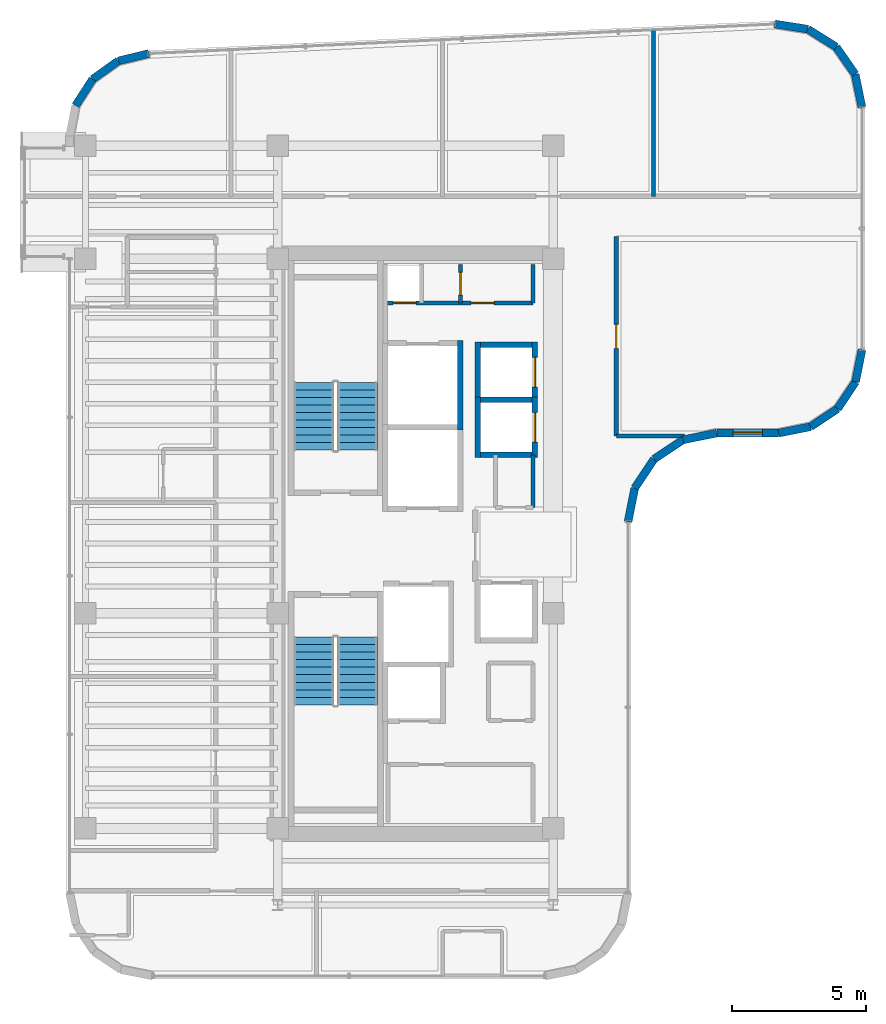
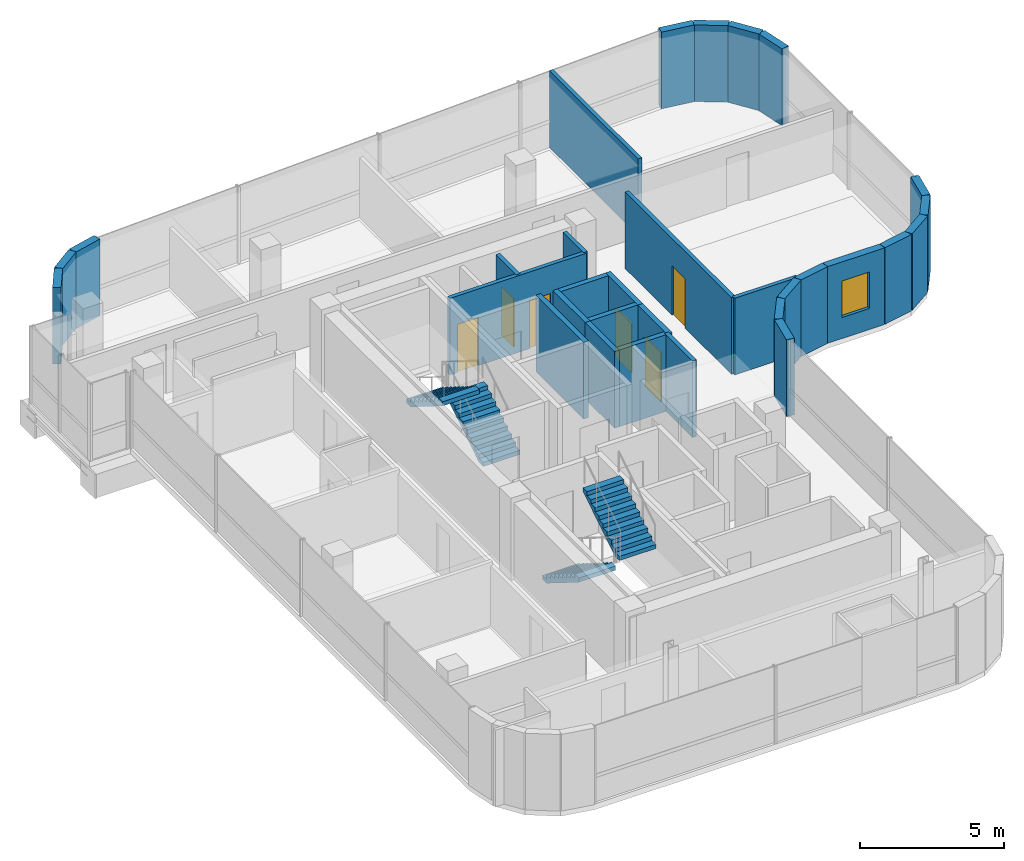
# One storey, part 18 of 21: 31 walls, 6 doors, 4 stair flights, 1 window, 7 openings, 2 elements without a shape of their own.
"""IFC4 building model written with IfcOpenShell, lengths in metres."""

from ifc_helpers import new_model, si_unit, direction, frame, frame_2d, origin, place, context, subcontext, project, spatial, polyline, rectangle, outline, extrude, material, layer, layer_set, type_object, element, fill, aggregate, save


model = new_model("IFC4")

# Units and contexts
model_context = context("Model", 3, precision=1e-05, world=origin(), true_north=direction((0.0, 1.0)))
body_context = subcontext(model_context, "Body", "Model", "MODEL_VIEW")
ifc_project = project(units=[si_unit("LENGTHUNIT", "METRE"), si_unit("AREAUNIT", "SQUARE_METRE"), si_unit("VOLUMEUNIT", "CUBIC_METRE"), si_unit("PLANEANGLEUNIT", "RADIAN"), si_unit("MASSUNIT", "GRAM", prefix="KILO")], contexts=[model_context])

# Site, building, storey
site_placement = place(None, origin())
site = spatial("IfcSite", under=ifc_project, at=site_placement, CompositionType="ELEMENT")
building_placement = place(site_placement, origin())
building = spatial("IfcBuilding", under=site, at=building_placement, Name="Valdorenza Pilgrim Sanctuary Tower", CompositionType="ELEMENT")
storey_placement = place(building_placement, frame((0.0, 0.0, 254.5)))
storey = spatial("IfcBuildingStorey", under=building, at=storey_placement, Name="L66", CompositionType="ELEMENT", Elevation=254.5)

# Wall, openings, doors
ifc_material_1 = material(Name="Acoustic twin-stud gypsum partition", Category="gypsum")
ifc_layer_1 = layer(ifc_material_1, 0.159912109375, Name="Acoustic twin-stud gypsum partition")
ifc_layer_set_1 = layer_set([ifc_layer_1], Name="Acoustic twin-stud gypsum partition")
wall_type_1 = type_object("IfcWallType", Name="WAL-COR-160", PredefinedType="PARTITIONING", material=ifc_layer_set_1)
wall_1_placement = place(storey_placement, frame((-18.64990234375, 8.949951171875, 0.0), z_axis=(0.0, 0.0, 1.0), x_axis=(1.0, 0.0, 0.0)))
wall_1 = element("IfcWall", 1, at=wall_1_placement, inside=storey, type_object=wall_type_1, Name="L66 Core A North Service South Wall", PredefinedType="PARTITIONING", context=body_context, shape_type="SweptSolid", body=[
    extrude(rectangle(XDim=5.5, YDim=0.159912109375, at=frame_2d((2.75, 0.0))), origin(), (0.0, 0.0, 1.0), 3.260009765625),
])
opening_1_placement = place(wall_1_placement, frame((0.300048828125, 0.0, 0.0)))
opening_1 = element("IfcOpeningElement", 2, at=opening_1_placement, cuts=wall_1, Name="Opening DR-RS1", PredefinedType="OPENING", context=body_context, shape_type="SweptSolid", body=[
    extrude(rectangle(XDim=0.85009765625, YDim=2.050048828125, at=frame_2d((0.425048828125, 1.02490234375))), frame((0.0, 0.0947265625, 0.0), z_axis=(0.0, -1.0, 0.0), x_axis=(1.0, 0.0, 0.0)), (0.0, 0.0, 1.0), 0.189697265625),
])
opening_2_placement = place(wall_1_placement, frame((3.199951171875, 0.0, 0.0)))
opening_2 = element("IfcOpeningElement", 3, at=opening_2_placement, cuts=wall_1, Name="Opening DR-RS1", PredefinedType="OPENING", context=body_context, shape_type="SweptSolid", body=[
    extrude(rectangle(XDim=0.85009765625, YDim=2.050048828125, at=frame_2d((0.425048828125, 1.02490234375))), frame((0.0, 0.0947265625, 0.0), z_axis=(0.0, -1.0, 0.0), x_axis=(1.0, 0.0, 0.0)), (0.0, 0.0, 1.0), 0.189697265625),
])
ifc_material_2 = material(Name="Painted galvanized steel", Category="steel")
door_type_1 = type_object("IfcDoorType", Name="DR-RSR-850", OperationType="NOTDEFINED", PredefinedType="DOOR", material=ifc_material_2)
door_1_placement = place(opening_1_placement, origin())
door_1 = element("IfcDoor", 4, at=door_1_placement, inside=storey, type_object=door_type_1, Name="L66 Core Electrical and Telecom Riser Door", OperationType="SINGLE_SWING_LEFT", OverallHeight=2.050048828125, OverallWidth=0.85009765625, PredefinedType="DOOR", context=body_context, shape_type="SweptSolid", body=[
    extrude(rectangle(XDim=0.85009765625, YDim=2.050048828125, at=frame_2d((0.425048828125, 1.02490234375))), frame((0.0, 0.02490234375, 0.0), z_axis=(0.0, -1.0, 0.0), x_axis=(1.0, 0.0, 0.0)), (0.0, 0.0, 1.0), 0.050048828125),
])
fill(opening_1, door_1)
door_2_placement = place(opening_2_placement, origin())
door_2 = element("IfcDoor", 5, at=door_2_placement, inside=storey, type_object=door_type_1, Name="L66 Housekeeping and Clean Linen Room Door", OperationType="SINGLE_SWING_RIGHT", OverallHeight=2.050048828125, OverallWidth=0.85009765625, PredefinedType="DOOR", context=body_context, shape_type="SweptSolid", body=[
    extrude(rectangle(XDim=0.85009765625, YDim=2.050048828125, at=frame_2d((0.425048828125, 1.02490234375))), frame((0.0, 0.02490234375, 0.0), z_axis=(0.0, -1.0, 0.0), x_axis=(1.0, 0.0, 0.0)), (0.0, 0.0, 1.0), 0.050048828125),
])
fill(opening_2, door_2)

# Wall
wall_2_placement = place(storey_placement, frame((-13.14990234375, 8.949951171875, 0.0), z_axis=(0.0, 0.0, 1.0), x_axis=(0.0, 1.0, 0.0)))
element("IfcWall", 6, at=wall_2_placement, inside=storey, type_object=wall_type_1, Name="L66 Core A North Service East Wall", PredefinedType="PARTITIONING", context=body_context, shape_type="SweptSolid", body=[
    extrude(rectangle(XDim=1.429931640625, YDim=0.159912109375, at=frame_2d((0.71484375, 0.0))), origin(), (0.0, 0.0, 1.0), 3.260009765625),
])

# Wall, opening, door
wall_3_placement = place(storey_placement, frame((-15.85009765625, 8.949951171875, 0.0), z_axis=(0.0, 0.0, 1.0), x_axis=(0.0, 1.0, 0.0)))
wall_3 = element("IfcWall", 7, at=wall_3_placement, inside=storey, type_object=wall_type_1, Name="L66 Core A Split C", PredefinedType="PARTITIONING", context=body_context, shape_type="SweptSolid", body=[
    extrude(rectangle(XDim=1.429931640625, YDim=0.159912109375, at=frame_2d((0.71484375, 0.0))), origin(), (0.0, 0.0, 1.0), 3.260009765625),
])
opening_3_placement = place(wall_3_placement, frame((0.2900390625, 0.0, 0.0)))
opening_3 = element("IfcOpeningElement", 8, at=opening_3_placement, cuts=wall_3, Name="Opening DR-RS1", PredefinedType="OPENING", context=body_context, shape_type="SweptSolid", body=[
    extrude(rectangle(XDim=0.85009765625, YDim=2.050048828125, at=frame_2d((0.425048828125, 1.02490234375))), frame((0.0, 0.0947265625, 0.0), z_axis=(0.0, -1.0, 0.0), x_axis=(1.0, 0.0, 0.0)), (0.0, 0.0, 1.0), 0.189697265625),
])
door_3_placement = place(opening_3_placement, origin())
door_3 = element("IfcDoor", 9, at=door_3_placement, inside=storey, type_object=door_type_1, Name="L66 Clean Linen Supply Store Door", OperationType="SINGLE_SWING_LEFT", OverallHeight=2.050048828125, OverallWidth=0.85009765625, PredefinedType="DOOR", context=body_context, shape_type="SweptSolid", body=[
    extrude(rectangle(XDim=0.85009765625, YDim=2.050048828125, at=frame_2d((0.425048828125, 1.02490234375))), frame((0.0, 0.02490234375, 0.0), z_axis=(0.0, -1.0, 0.0), x_axis=(1.0, 0.0, 0.0)), (0.0, 0.0, 1.0), 0.050048828125),
])
fill(opening_3, door_3)

# Wall
wall_4_placement = place(storey_placement, frame((-13.14990234375, 1.35009765625, 0.0), z_axis=(0.0, 0.0, 1.0), x_axis=(0.0, 1.0, 0.0)))
element("IfcWall", 10, at=wall_4_placement, inside=storey, type_object=wall_type_1, Name="L66 Freed Shaft 6 East Wall", PredefinedType="PARTITIONING", context=body_context, shape_type="SweptSolid", body=[
    extrude(rectangle(XDim=1.949951171875, YDim=0.159912109375, at=frame_2d((0.97509765625, 0.0))), origin(), (0.0, 0.0, 1.0), 3.260009765625),
])

# Wall, opening, door
wall_5_placement = place(storey_placement, frame((-10.050048828125, 4.0, 0.0), z_axis=(0.0, 0.0, 1.0), x_axis=(0.0, 1.0, 0.0)))
wall_5 = element("IfcWall", 11, at=wall_5_placement, inside=storey, type_object=wall_type_1, Name="L66 East Stub Corridor Wall", PredefinedType="PARTITIONING", context=body_context, shape_type="SweptSolid", body=[
    extrude(rectangle(XDim=7.419921875, YDim=0.159912109375, at=frame_2d((3.7099609375, 0.0))), origin(), (0.0, 0.0, 1.0), 3.260009765625),
])
opening_4_placement = place(wall_5_placement, frame((3.260009765625, 0.0, 0.0)))
opening_4 = element("IfcOpeningElement", 12, at=opening_4_placement, cuts=wall_5, Name="Opening DR-RM1", PredefinedType="OPENING", context=body_context, shape_type="SweptSolid", body=[
    extrude(rectangle(XDim=0.89990234375, YDim=2.10009765625, at=frame_2d((0.449951171875, 1.050048828125))), frame((0.0, 0.0947265625, 0.0), z_axis=(0.0, -1.0, 0.0), x_axis=(1.0, 0.0, 0.0)), (0.0, 0.0, 1.0), 0.189697265625),
])
ifc_material_3 = material(Name="Solid-core European oak timber", Category="wood")
door_type_2 = type_object("IfcDoorType", Name="DR-ROOM-900", OperationType="NOTDEFINED", PredefinedType="DOOR", material=ifc_material_3)
door_4_placement = place(opening_4_placement, origin())
door_4 = element("IfcDoor", 13, at=door_4_placement, inside=storey, type_object=door_type_2, Name="L66 Pilgrim Scholar Office L66-E1 Door", OperationType="SINGLE_SWING_RIGHT", OverallHeight=2.10009765625, OverallWidth=0.89990234375, PredefinedType="DOOR", context=body_context, shape_type="SweptSolid", body=[
    extrude(rectangle(XDim=0.89990234375, YDim=2.10009765625, at=frame_2d((0.449951171875, 1.050048828125))), frame((0.0, 0.02490234375, 0.0), z_axis=(0.0, -1.0, 0.0), x_axis=(1.0, 0.0, 0.0)), (0.0, 0.0, 1.0), 0.050048828125),
])
fill(opening_4, door_4)

# Walls
wall_6_placement = place(storey_placement, frame((-10.050048828125, 4.0, 0.0), z_axis=(0.0, 0.0, 1.0), x_axis=(1.0, 0.0, 0.0)))
element("IfcWall", 14, at=wall_6_placement, inside=storey, type_object=wall_type_1, Name="L66 East Stub South Wall", PredefinedType="PARTITIONING", context=body_context, shape_type="SweptSolid", body=[
    extrude(rectangle(XDim=2.545654296875, YDim=0.159912109375, at=frame_2d((1.27294921875, 0.0))), origin(), (0.0, 0.0, 1.0), 3.260009765625),
])
ifc_material_4 = material(Name="Honed travertine limestone", Category="masonry")
ifc_layer_2 = layer(ifc_material_4, 0.300048828125, Name="Honed travertine limestone")
ifc_layer_set_2 = layer_set([ifc_layer_2], Name="Honed travertine limestone")
wall_type_2 = type_object("IfcWallType", Name="WAL-EXT-300", PredefinedType="SOLIDWALL", material=ifc_layer_set_2)
wall_7_placement = place(storey_placement, frame((-30.16650390625, 16.29541015625, 0.0), z_axis=(0.0, 0.0, 1.0), x_axis=(0.540842020947, 0.841124193195, 0.0)))
element("IfcWall", 15, at=wall_7_placement, inside=storey, type_object=wall_type_2, Name="L66 Rounded Wind-Corner Stone Pier 3", PredefinedType="SOLIDWALL", context=body_context, shape_type="SweptSolid", body=[
    extrude(rectangle(XDim=1.169189453125, YDim=0.300048828125, at=frame_2d((0.58447265625, 0.0))), origin(), (0.0, 0.0, 1.0), 3.260009765625),
])
wall_8_placement = place(storey_placement, frame((-29.5341796875, 17.27880859375, 0.0), z_axis=(0.0, 0.0, 1.0), x_axis=(0.81466371606, 0.579933642527, 0.0)))
element("IfcWall", 16, at=wall_8_placement, inside=storey, type_object=wall_type_2, Name="L66 Rounded Wind-Corner Stone Pier 4", PredefinedType="SOLIDWALL", context=body_context, shape_type="SweptSolid", body=[
    extrude(rectangle(XDim=1.1689453125, YDim=0.300048828125, at=frame_2d((0.58447265625, 0.0))), origin(), (0.0, 0.0, 1.0), 3.260009765625),
])
wall_9_placement = place(storey_placement, frame((-28.581787109375, 17.956787109375, 0.0), z_axis=(0.0, 0.0, 1.0), x_axis=(0.971929016595, 0.235274279725, 0.0)))
element("IfcWall", 17, at=wall_9_placement, inside=storey, type_object=wall_type_2, Name="L66 Rounded Wind-Corner Stone Pier 5", PredefinedType="SOLIDWALL", context=body_context, shape_type="SweptSolid", body=[
    extrude(rectangle(XDim=1.179931640625, YDim=0.300048828125, at=frame_2d((0.58984375, 0.0))), origin(), (0.0, 0.0, 1.0), 3.260009765625),
])
wall_10_placement = place(storey_placement, frame((-4.15673828125, 19.331787109375, 0.0), z_axis=(0.0, 0.0, 1.0), x_axis=(0.987969236552, -0.15465053387, 0.0)))
element("IfcWall", 18, at=wall_10_placement, inside=storey, type_object=wall_type_2, Name="L66 Rounded Wind-Corner Stone Pier 7", PredefinedType="SOLIDWALL", context=body_context, shape_type="SweptSolid", body=[
    extrude(rectangle(XDim=1.251953125, YDim=0.300048828125, at=frame_2d((0.6259765625, 0.0))), origin(), (0.0, 0.0, 1.0), 3.260009765625),
])
for number, where, z_axis, x_axis, name in (
    (19, (-2.919921875, 19.13818359375, 0.0), (0.0, 0.0, 1.0), (0.847489288141, -0.530812496543, 0.0), "L66 Rounded Wind-Corner Stone Pier 8"),
    (20, (-1.86865234375, 18.479736328125, 0.0), (0.0, 0.0, 1.0), (0.570181861951, -0.821518499063, 0.0), "L66 Rounded Wind-Corner Stone Pier 9"),
):
    element("IfcWall", number, at=place(storey_placement, frame(where, z_axis=z_axis, x_axis=x_axis)), inside=storey, type_object=wall_type_2, Name=name, PredefinedType="SOLIDWALL", context=body_context, shape_type="SweptSolid", body=[
        extrude(rectangle(XDim=1.240478515625, YDim=0.300048828125, at=frame_2d((0.6201171875, 0.0))), origin(), (0.0, 0.0, 1.0), 3.260009765625),
    ])
wall_11_placement = place(storey_placement, frame((-1.161376953125, 17.460693359375, 0.0), z_axis=(0.0, 0.0, 1.0), x_axis=(0.20087696073, -0.979616479367, 0.0)))
element("IfcWall", 21, at=wall_11_placement, inside=storey, type_object=wall_type_2, Name="L66 Rounded Wind-Corner Stone Pier 10", PredefinedType="SOLIDWALL", context=body_context, shape_type="SweptSolid", body=[
    extrude(rectangle(XDim=1.251953125, YDim=0.300048828125, at=frame_2d((0.6259765625, 0.0))), origin(), (0.0, 0.0, 1.0), 3.260009765625),
])
wall_12_placement = place(storey_placement, frame((-0.909912109375, 7.210693359375, 0.0), z_axis=(0.0, 0.0, 1.0), x_axis=(-0.195189223115, -0.980765602568, 0.0)))
element("IfcWall", 22, at=wall_12_placement, inside=storey, type_object=wall_type_2, Name="L66 Rounded Wind-Corner Stone Pier 12", PredefinedType="SOLIDWALL", context=body_context, shape_type="SweptSolid", body=[
    extrude(rectangle(XDim=1.2158203125, YDim=0.300048828125, at=frame_2d((0.60791015625, 0.0))), origin(), (0.0, 0.0, 1.0), 3.260009765625),
])
for number, where, z_axis, x_axis, name in (
    (23, (-1.147216796875, 6.018310546875, 0.0), (0.0, 0.0, 1.0), (-0.555635100982, -0.831426265255, 0.0), "L66 Rounded Wind-Corner Stone Pier 13"),
    (24, (-1.816650390625, 5.0166015625, 0.0), (0.0, 0.0, 1.0), (-0.831426265255, -0.555635100982, 0.0), "L66 Rounded Wind-Corner Stone Pier 14"),
):
    element("IfcWall", number, at=place(storey_placement, frame(where, z_axis=z_axis, x_axis=x_axis)), inside=storey, type_object=wall_type_2, Name=name, PredefinedType="SOLIDWALL", context=body_context, shape_type="SweptSolid", body=[
        extrude(rectangle(XDim=1.204833984375, YDim=0.300048828125, at=frame_2d((0.6025390625, 0.0))), origin(), (0.0, 0.0, 1.0), 3.260009765625),
    ])
wall_13_placement = place(storey_placement, frame((-2.818359375, 4.34716796875, 0.0), z_axis=(0.0, 0.0, 1.0), x_axis=(-0.980804027463, -0.194996050505, 0.0)))
element("IfcWall", 25, at=wall_13_placement, inside=storey, type_object=wall_type_2, Name="L66 Rounded Wind-Corner Stone Pier 15", PredefinedType="SOLIDWALL", context=body_context, shape_type="SweptSolid", body=[
    extrude(rectangle(XDim=1.2158203125, YDim=0.300048828125, at=frame_2d((0.60791015625, 0.0))), origin(), (0.0, 0.0, 1.0), 3.260009765625),
])

# Wall, opening, window
wall_14_placement = place(storey_placement, frame((-4.0107421875, 4.110107421875, 0.0), z_axis=(0.0, 0.0, 1.0), x_axis=(-1.0, 0.0, 0.0)))
wall_14 = element("IfcWall", 26, at=wall_14_placement, inside=storey, type_object=wall_type_2, Name="L66 Rounded Wind-Corner Stone Pier 16", PredefinedType="SOLIDWALL", context=body_context, shape_type="SweptSolid", body=[
    extrude(rectangle(XDim=2.300048828125, YDim=0.300048828125, at=frame_2d((1.14990234375, 0.0))), origin(), (0.0, 0.0, 1.0), 3.260009765625),
])
opening_5_placement = place(wall_14_placement, frame((0.60009765625, 0.0, 0.89990234375)))
opening_5 = element("IfcOpeningElement", 27, at=opening_5_placement, cuts=wall_14, Name="Opening WN-CR1", PredefinedType="OPENING", context=body_context, shape_type="SweptSolid", body=[
    extrude(rectangle(XDim=1.10009765625, YDim=1.550048828125, at=frame_2d((0.550048828125, 0.77490234375))), frame((0.0, 0.1650390625, 0.0), z_axis=(0.0, -1.0, 0.0), x_axis=(1.0, 0.0, 0.0)), (0.0, 0.0, 1.0), 0.329833984375),
])
ifc_material_5 = material(Name="Ceramic-fritted low-E IGU glazing", Category="glass")
window_type = type_object("IfcWindowType", Name="WIN-CRN-1200", PartitioningType="SINGLE_PANEL", PredefinedType="WINDOW", material=ifc_material_5)
window_placement = place(opening_5_placement, origin())
window = element("IfcWindow", 28, at=window_placement, inside=storey, type_object=window_type, Name="L66 Rounded Corner Slot Window 16", OverallHeight=1.550048828125, OverallWidth=1.10009765625, PartitioningType="SINGLE_PANEL", PredefinedType="WINDOW", context=body_context, shape_type="SweptSolid", body=[
    extrude(rectangle(XDim=1.10009765625, YDim=1.550048828125, at=frame_2d((0.550048828125, 0.77490234375))), frame((0.0, 0.030029296875, 0.0), z_axis=(0.0, -1.0, 0.0), x_axis=(1.0, 0.0, 0.0)), (0.0, 0.0, 1.0), 0.06005859375),
])
fill(opening_5, window)

# Walls
wall_15_placement = place(storey_placement, frame((-6.310791015625, 4.110107421875, 0.0), z_axis=(0.0, 0.0, 1.0), x_axis=(-0.980778058848, -0.195126623715, 0.0)))
element("IfcWall", 29, at=wall_15_placement, inside=storey, type_object=wall_type_2, Name="L66 Rounded Wind-Corner Stone Pier 17", PredefinedType="SOLIDWALL", context=body_context, shape_type="SweptSolid", body=[
    extrude(rectangle(XDim=1.28125, YDim=0.300048828125, at=frame_2d((0.640625, 0.0))), origin(), (0.0, 0.0, 1.0), 3.260009765625),
])
for number, where, z_axis, x_axis, name in (
    (30, (-7.5673828125, 3.860107421875, 0.0), (0.0, 0.0, 1.0), (-0.831497739511, -0.555528135371, 0.0), "L66 Rounded Wind-Corner Stone Pier 18"),
    (31, (-8.64208984375, 3.14208984375, 0.0), (0.0, 0.0, 1.0), (-0.555528135371, -0.831497739511, 0.0), "L66 Rounded Wind-Corner Stone Pier 19"),
):
    element("IfcWall", number, at=place(storey_placement, frame(where, z_axis=z_axis, x_axis=x_axis)), inside=storey, type_object=wall_type_2, Name=name, PredefinedType="SOLIDWALL", context=body_context, shape_type="SweptSolid", body=[
        extrude(rectangle(XDim=1.29248046875, YDim=0.300048828125, at=frame_2d((0.646240234375, 0.0))), origin(), (0.0, 0.0, 1.0), 3.260009765625),
    ])
wall_16_placement = place(storey_placement, frame((-9.360107421875, 2.0673828125, 0.0), z_axis=(0.0, 0.0, 1.0), x_axis=(-0.195126623715, -0.980778058848, 0.0)))
element("IfcWall", 32, at=wall_16_placement, inside=storey, type_object=wall_type_2, Name="L66 Rounded Wind-Corner Stone Pier 20", PredefinedType="SOLIDWALL", context=body_context, shape_type="SweptSolid", body=[
    extrude(rectangle(XDim=1.28125, YDim=0.300048828125, at=frame_2d((0.640625, 0.0))), origin(), (0.0, 0.0, 1.0), 3.260009765625),
])
ifc_material_6 = material(Name="Autoclaved aerated concrete blockwork", Category="masonry")
ifc_layer_3 = layer(ifc_material_6, 0.199951171875, Name="Autoclaved aerated concrete blockwork")
ifc_layer_set_3 = layer_set([ifc_layer_3], Name="Autoclaved aerated concrete blockwork")
wall_type_3 = type_object("IfcWallType", Name="WAL-SHF-200", PredefinedType="MOVABLE", material=ifc_layer_set_3)
wall_17_placement = place(storey_placement, frame((-15.85009765625, 4.22509765625, 0.0), z_axis=(0.0, 0.0, 1.0), x_axis=(0.0, 1.0, 0.0)))
element("IfcWall", 33, at=wall_17_placement, inside=storey, type_object=wall_type_3, Name="L66 Lift SVL-01 Hoistway Wall East", PredefinedType="MOVABLE", context=body_context, shape_type="SweptSolid", body=[
    extrude(rectangle(XDim=3.324951171875, YDim=0.199951171875, at=frame_2d((1.66259765625, 0.0))), origin(), (0.0, 0.0, 1.0), 3.260009765625),
])
wall_18_placement = place(storey_placement, frame((-15.199951171875, 3.199951171875, 0.0), z_axis=(0.0, 0.0, 1.0), x_axis=(0.0, 1.0, 0.0)))
element("IfcWall", 34, at=wall_18_placement, inside=storey, type_object=wall_type_3, Name="L66 Lift PL-09 Hoistway Wall West", PredefinedType="MOVABLE", context=body_context, shape_type="SweptSolid", body=[
    extrude(rectangle(XDim=2.25, YDim=0.199951171875, at=frame_2d((1.125, 0.0))), origin(), (0.0, 0.0, 1.0), 3.260009765625),
])

# Wall, opening, door
wall_19_placement = place(storey_placement, frame((-13.080078125, 3.199951171875, 0.0), z_axis=(0.0, 0.0, 1.0), x_axis=(0.0, 1.0, 0.0)))
wall_19 = element("IfcWall", 35, at=wall_19_placement, inside=storey, type_object=wall_type_3, Name="L66 Lift PL-09 Hoistway Wall East", PredefinedType="MOVABLE", context=body_context, shape_type="SweptSolid", body=[
    extrude(rectangle(XDim=2.25, YDim=0.199951171875, at=frame_2d((1.125, 0.0))), origin(), (0.0, 0.0, 1.0), 3.260009765625),
])
opening_6_placement = place(wall_19_placement, frame((0.574951171875, 0.0, 0.0)))
opening_6 = element("IfcOpeningElement", 36, at=opening_6_placement, cuts=wall_19, Name="Opening LD-01", PredefinedType="OPENING", context=body_context, shape_type="SweptSolid", body=[
    extrude(rectangle(XDim=1.10009765625, YDim=2.10009765625, at=frame_2d((0.550048828125, 1.050048828125))), frame((0.0, 0.11474609375, 0.0), z_axis=(0.0, -1.0, 0.0), x_axis=(1.0, 0.0, 0.0)), (0.0, 0.0, 1.0), 0.229736328125),
])
ifc_material_7 = material(Name="Brushed stainless steel Grade 316", Category="steel")
door_type_3 = type_object("IfcDoorType", Name="DR-LFT-1100", OperationType="DOUBLE_DOOR_SLIDING", PredefinedType="DOOR", material=ifc_material_7)
door_5_placement = place(opening_6_placement, origin())
door_5 = element("IfcDoor", 37, at=door_5_placement, inside=storey, type_object=door_type_3, Name="L66 Lift PL-09 Sliding Landing Door", OperationType="DOUBLE_DOOR_SLIDING", OverallHeight=2.10009765625, OverallWidth=1.10009765625, PredefinedType="DOOR", context=body_context, shape_type="SweptSolid", body=[
    extrude(rectangle(XDim=1.10009765625, YDim=2.10009765625, at=frame_2d((0.550048828125, 1.050048828125))), frame((0.0, 0.02490234375, 0.0), z_axis=(0.0, -1.0, 0.0), x_axis=(1.0, 0.0, 0.0)), (0.0, 0.0, 1.0), 0.050048828125),
])
fill(opening_6, door_5)

# Walls
for number, where, z_axis, x_axis, name in (
    (38, (-15.10009765625, 3.300048828125, 0.0), (0.0, 0.0, 1.0), (1.0, 0.0, 0.0), "L66 Lift PL-09 Hoistway Wall South"),
    (39, (-15.10009765625, 5.35009765625, 0.0), (0.0, 0.0, 1.0), (1.0, 0.0, 0.0), "L66 Lift PL-09 Hoistway Wall North"),
):
    element("IfcWall", number, at=place(storey_placement, frame(where, z_axis=z_axis, x_axis=x_axis)), inside=storey, type_object=wall_type_3, Name=name, PredefinedType="MOVABLE", context=body_context, shape_type="SweptSolid", body=[
        extrude(rectangle(XDim=1.920166015625, YDim=0.199951171875, at=frame_2d((0.9599609375, 0.0))), origin(), (0.0, 0.0, 1.0), 3.260009765625),
    ])
wall_20_placement = place(storey_placement, frame((-15.199951171875, 5.25, 0.0), z_axis=(0.0, 0.0, 1.0), x_axis=(0.0, 1.0, 0.0)))
element("IfcWall", 40, at=wall_20_placement, inside=storey, type_object=wall_type_3, Name="L66 Lift PL-10 Hoistway Wall West", PredefinedType="MOVABLE", context=body_context, shape_type="SweptSolid", body=[
    extrude(rectangle(XDim=2.25, YDim=0.199951171875, at=frame_2d((1.125, 0.0))), origin(), (0.0, 0.0, 1.0), 3.260009765625),
])

# Wall, opening, door
wall_21_placement = place(storey_placement, frame((-13.080078125, 5.25, 0.0), z_axis=(0.0, 0.0, 1.0), x_axis=(0.0, 1.0, 0.0)))
wall_21 = element("IfcWall", 41, at=wall_21_placement, inside=storey, type_object=wall_type_3, Name="L66 Lift PL-10 Hoistway Wall East", PredefinedType="MOVABLE", context=body_context, shape_type="SweptSolid", body=[
    extrude(rectangle(XDim=2.25, YDim=0.199951171875, at=frame_2d((1.125, 0.0))), origin(), (0.0, 0.0, 1.0), 3.260009765625),
])
opening_7_placement = place(wall_21_placement, frame((0.574951171875, 0.0, 0.0)))
opening_7 = element("IfcOpeningElement", 42, at=opening_7_placement, cuts=wall_21, Name="Opening LD-01", PredefinedType="OPENING", context=body_context, shape_type="SweptSolid", body=[
    extrude(rectangle(XDim=1.10009765625, YDim=2.10009765625, at=frame_2d((0.550048828125, 1.050048828125))), frame((0.0, 0.11474609375, 0.0), z_axis=(0.0, -1.0, 0.0), x_axis=(1.0, 0.0, 0.0)), (0.0, 0.0, 1.0), 0.229736328125),
])
door_6_placement = place(opening_7_placement, origin())
door_6 = element("IfcDoor", 43, at=door_6_placement, inside=storey, type_object=door_type_3, Name="L66 Lift PL-10 Sliding Landing Door", OperationType="DOUBLE_DOOR_SLIDING", OverallHeight=2.10009765625, OverallWidth=1.10009765625, PredefinedType="DOOR", context=body_context, shape_type="SweptSolid", body=[
    extrude(rectangle(XDim=1.10009765625, YDim=2.10009765625, at=frame_2d((0.550048828125, 1.050048828125))), frame((0.0, 0.02490234375, 0.0), z_axis=(0.0, -1.0, 0.0), x_axis=(1.0, 0.0, 0.0)), (0.0, 0.0, 1.0), 0.050048828125),
])
fill(opening_7, door_6)

# Walls
wall_22_placement = place(storey_placement, frame((-15.10009765625, 7.39990234375, 0.0), z_axis=(0.0, 0.0, 1.0), x_axis=(1.0, 0.0, 0.0)))
element("IfcWall", 44, at=wall_22_placement, inside=storey, type_object=wall_type_3, Name="L66 Lift PL-10 Hoistway Wall North", PredefinedType="MOVABLE", context=body_context, shape_type="SweptSolid", body=[
    extrude(rectangle(XDim=1.920166015625, YDim=0.199951171875, at=frame_2d((0.9599609375, 0.0))), origin(), (0.0, 0.0, 1.0), 3.260009765625),
])
ifc_layer_4 = layer(ifc_material_1, 0.14990234375, Name="Acoustic twin-stud gypsum partition")
ifc_layer_set_4 = layer_set([ifc_layer_4], Name="Acoustic twin-stud gypsum partition")
wall_type_4 = type_object("IfcWallType", Name="WAL-UNT-150", PredefinedType="PARTITIONING", material=ifc_layer_set_4)
wall_23_placement = place(storey_placement, frame((-8.659912109375, 12.919921875, 0.0), z_axis=(0.0, 0.0, 1.0), x_axis=(0.0, 1.0, 0.0)))
element("IfcWall", 45, at=wall_23_placement, inside=storey, type_object=wall_type_4, Name="L66 Sanctuary Administration Office L66-N4 Demising Wall", PredefinedType="PARTITIONING", context=body_context, shape_type="SweptSolid", body=[
    extrude(rectangle(XDim=6.199462890625, YDim=0.14990234375, at=frame_2d((3.099609375, 0.0))), origin(), (0.0, 0.0, 1.0), 3.260009765625),
])

# Stair, stair flights
ifc_material_8 = material(Name="Concrete C40/50", Category="concrete")
stair_type = type_object("IfcStairType", Name="STR-DOG-CORE", PredefinedType="HALF_TURN_STAIR", material=ifc_material_8)
stair_1_placement = place(storey_placement, origin())
stair_1 = element("IfcStair", 46, at=stair_1_placement, inside=storey, type_object=stair_type, Name="L66 ST-A1", PredefinedType="HALF_TURN_STAIR")
stair_flight_type = type_object("IfcStairFlightType", Name="STF-RC-1400", PredefinedType="STRAIGHT", material=ifc_material_8)
stair_flight_1_placement = place(storey_placement, frame((-19.679931640625, 3.47998046875, 0.0), z_axis=(0.0, 0.0, 1.0), x_axis=(0.0, 1.0, 0.0)))
stair_flight_1 = element("IfcStairFlight", 47, at=stair_flight_1_placement, type_object=stair_flight_type, Name="ST-A1 flight 1", NumberOfRisers=10, NumberOfTreads=9, PredefinedType="STRAIGHT", RiserHeight=0.175, TreadLength=0.28, context=body_context, shape_type="SweptSolid", body=[
    extrude(outline(polyline([(0.0, 0.0), (0.0, 0.175048828125), (0.280029296875, 0.175048828125), (0.280029296875, 0.35009765625), (0.56005859375, 0.35009765625), (0.56005859375, 0.52490234375), (0.840087890625, 0.52490234375), (0.840087890625, 0.699951171875), (1.1201171875, 0.699951171875), (1.1201171875, 0.875), (1.39990234375, 0.875), (1.39990234375, 1.050048828125), (1.679931640625, 1.050048828125), (1.679931640625, 1.22509765625), (1.9599609375, 1.22509765625), (1.9599609375, 1.39990234375), (2.239990234375, 1.39990234375), (2.239990234375, 1.574951171875), (2.52001953125, 1.574951171875), (2.52001953125, 1.75), (2.52001953125, 1.398193359375), (0.28271484375, 0.0), (0.0, 0.0)])), frame((0.0, 0.739990234375, 0.0), z_axis=(0.0, -1.0, 0.0), x_axis=(1.0, 0.0, 0.0)), (0.0, 0.0, 1.0), 1.47998046875),
])
stair_flight_2_placement = place(storey_placement, frame((-21.31005859375, 6.0, 1.75), z_axis=(0.0, 0.0, 1.0), x_axis=(0.0, -1.0, 0.0)))
stair_flight_2 = element("IfcStairFlight", 48, at=stair_flight_2_placement, type_object=stair_flight_type, Name="ST-A1 flight 2", NumberOfRisers=10, NumberOfTreads=9, PredefinedType="STRAIGHT", RiserHeight=0.175, TreadLength=0.28, context=body_context, shape_type="SweptSolid", body=[
    extrude(outline(polyline([(0.0, 0.0), (0.0, 0.175048828125), (0.280029296875, 0.175048828125), (0.280029296875, 0.35009765625), (0.56005859375, 0.35009765625), (0.56005859375, 0.52490234375), (0.840087890625, 0.52490234375), (0.840087890625, 0.699951171875), (1.1201171875, 0.699951171875), (1.1201171875, 0.875), (1.39990234375, 0.875), (1.39990234375, 1.050048828125), (1.679931640625, 1.050048828125), (1.679931640625, 1.22509765625), (1.9599609375, 1.22509765625), (1.9599609375, 1.39990234375), (2.239990234375, 1.39990234375), (2.239990234375, 1.574951171875), (2.52001953125, 1.574951171875), (2.52001953125, 1.75), (2.52001953125, 1.398193359375), (0.28271484375, 0.0), (0.0, 0.0)])), frame((0.0, 0.739990234375, 0.0), z_axis=(0.0, -1.0, 0.0), x_axis=(1.0, 0.0, 0.0)), (0.0, 0.0, 1.0), 1.47998046875),
])
aggregate(stair_1, [stair_flight_1, stair_flight_2])

stair_2_placement = place(storey_placement, origin())
stair_2 = element("IfcStair", 49, at=stair_2_placement, inside=storey, type_object=stair_type, Name="L66 ST-A2", PredefinedType="HALF_TURN_STAIR")
stair_flight_3_placement = place(storey_placement, frame((-21.31005859375, -3.47998046875, 0.0), z_axis=(0.0, 0.0, 1.0), x_axis=(0.0, -1.0, 0.0)))
stair_flight_3 = element("IfcStairFlight", 50, at=stair_flight_3_placement, type_object=stair_flight_type, Name="ST-A2 flight 1", NumberOfRisers=10, NumberOfTreads=9, PredefinedType="STRAIGHT", RiserHeight=0.175, TreadLength=0.28, context=body_context, shape_type="SweptSolid", body=[
    extrude(outline(polyline([(0.0, 0.0), (0.0, 0.175048828125), (0.280029296875, 0.175048828125), (0.280029296875, 0.35009765625), (0.56005859375, 0.35009765625), (0.56005859375, 0.52490234375), (0.840087890625, 0.52490234375), (0.840087890625, 0.699951171875), (1.1201171875, 0.699951171875), (1.1201171875, 0.875), (1.39990234375, 0.875), (1.39990234375, 1.050048828125), (1.679931640625, 1.050048828125), (1.679931640625, 1.22509765625), (1.9599609375, 1.22509765625), (1.9599609375, 1.39990234375), (2.239990234375, 1.39990234375), (2.239990234375, 1.574951171875), (2.52001953125, 1.574951171875), (2.52001953125, 1.75), (2.52001953125, 1.398193359375), (0.28271484375, 0.0), (0.0, 0.0)])), frame((0.0, 0.739990234375, 0.0), z_axis=(0.0, -1.0, 0.0), x_axis=(1.0, 0.0, 0.0)), (0.0, 0.0, 1.0), 1.47998046875),
])
stair_flight_4_placement = place(storey_placement, frame((-19.679931640625, -6.0, 1.75), z_axis=(0.0, 0.0, 1.0), x_axis=(0.0, 1.0, 0.0)))
stair_flight_4 = element("IfcStairFlight", 51, at=stair_flight_4_placement, type_object=stair_flight_type, Name="ST-A2 flight 2", NumberOfRisers=10, NumberOfTreads=9, PredefinedType="STRAIGHT", RiserHeight=0.175, TreadLength=0.28, context=body_context, shape_type="SweptSolid", body=[
    extrude(outline(polyline([(0.0, 0.0), (0.0, 0.175048828125), (0.280029296875, 0.175048828125), (0.280029296875, 0.35009765625), (0.56005859375, 0.35009765625), (0.56005859375, 0.52490234375), (0.840087890625, 0.52490234375), (0.840087890625, 0.699951171875), (1.1201171875, 0.699951171875), (1.1201171875, 0.875), (1.39990234375, 0.875), (1.39990234375, 1.050048828125), (1.679931640625, 1.050048828125), (1.679931640625, 1.22509765625), (1.9599609375, 1.22509765625), (1.9599609375, 1.39990234375), (2.239990234375, 1.39990234375), (2.239990234375, 1.574951171875), (2.52001953125, 1.574951171875), (2.52001953125, 1.75), (2.52001953125, 1.398193359375), (0.28271484375, 0.0), (0.0, 0.0)])), frame((0.0, 0.739990234375, 0.0), z_axis=(0.0, -1.0, 0.0), x_axis=(1.0, 0.0, 0.0)), (0.0, 0.0, 1.0), 1.47998046875),
])
aggregate(stair_2, [stair_flight_3, stair_flight_4])

save(model, "model.ifc")
